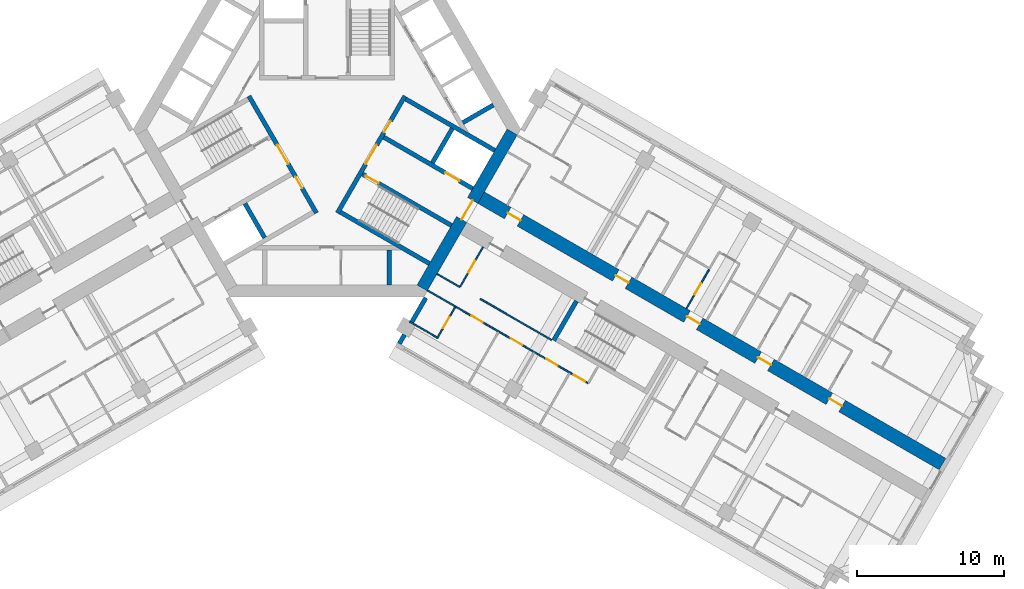
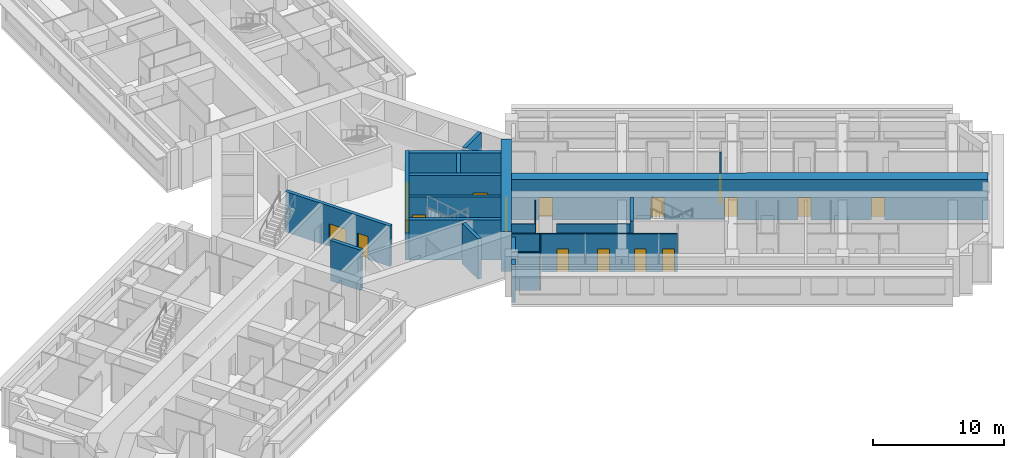
# One storey, part 6 of 14: 22 walls, 19 doors, 19 openings.
"""IFC4 building model written with IfcOpenShell, lengths in metres."""

from ifc_helpers import new_model, si_unit, direction, frame, frame_2d, origin, place, context, subcontext, project, spatial, rectangle, extrude, material, layer, layer_set, type_object, element, fill, save


model = new_model("IFC4")

# Units and contexts
model_context = context("Model", 3, precision=1e-05, world=origin(), true_north=direction((0.0, 1.0)))
body_context = subcontext(model_context, "Body", "Model", "MODEL_VIEW")
ifc_project = project(units=[si_unit("LENGTHUNIT", "METRE"), si_unit("AREAUNIT", "SQUARE_METRE"), si_unit("VOLUMEUNIT", "CUBIC_METRE"), si_unit("PLANEANGLEUNIT", "RADIAN"), si_unit("MASSUNIT", "GRAM", prefix="KILO")], contexts=[model_context])

# Site, building, storey
site_placement = place(None, origin())
site = spatial("IfcSite", under=ifc_project, at=site_placement, CompositionType="ELEMENT")
building_placement = place(site_placement, origin())
building = spatial("IfcBuilding", under=site, at=building_placement, Name="Impinga Residences", CompositionType="ELEMENT")
storey_placement = place(building_placement, frame((0.0, 0.0, 143.5)))
storey = spatial("IfcBuildingStorey", under=building, at=storey_placement, Name="L35", CompositionType="ELEMENT", Elevation=143.5)

# Wall, openings, doors
ifc_material_1 = material(Name="Concrete C60/75", Category="concrete")
ifc_layer_1 = layer(ifc_material_1, 0.89990234375)
ifc_layer_set_1 = layer_set([ifc_layer_1], Name="Concrete C60/75")
wall_type_1 = type_object("IfcWallType", Name="BW2 corridor buttress wall, L24 to L44 900", PredefinedType="SHEAR", material=ifc_layer_set_1)
wall_1_placement = place(storey_placement, frame((10.153564453125, -4.4765625, 0.0), z_axis=(0.0, 0.0, 1.0), x_axis=(0.866027614434, -0.499996171023, 0.0)))
wall_1 = element("IfcWall", 1, at=wall_1_placement, inside=storey, type_object=wall_type_1, Name="Corridor wall BW2 EC L35", PredefinedType="SHEAR", context=body_context, shape_type="SweptSolid", body=[
    extrude(rectangle(XDim=36.699951171875, YDim=0.89990234375, at=frame_2d((18.35009765625, 0.0))), origin(), (0.0, 0.0, 1.0), 3.75),
])
opening_1_placement = place(wall_1_placement, frame((2.5, 0.0, 0.0)))
opening_1 = element("IfcOpeningElement", 2, at=opening_1_placement, cuts=wall_1, Name="Opening D1", PredefinedType="OPENING", context=body_context, shape_type="SweptSolid", body=[
    extrude(rectangle(XDim=1.0, YDim=2.10009765625, at=frame_2d((0.5, 1.050048828125))), frame((0.0, 0.4599609375, 0.0), z_axis=(0.0, -1.0, 0.0), x_axis=(1.0, 0.0, 0.0)), (0.0, 0.0, 1.0), 0.919921875),
])
opening_2_placement = place(wall_1_placement, frame((11.0, 0.0, 0.0)))
opening_2 = element("IfcOpeningElement", 3, at=opening_2_placement, cuts=wall_1, Name="Opening D1", PredefinedType="OPENING", context=body_context, shape_type="SweptSolid", body=[
    extrude(rectangle(XDim=1.0, YDim=2.10009765625, at=frame_2d((0.5, 1.050048828125))), frame((0.0, 0.4599609375, 0.0), z_axis=(0.0, -1.0, 0.0), x_axis=(1.0, 0.0, 0.0)), (0.0, 0.0, 1.0), 0.919921875),
])
opening_3_placement = place(wall_1_placement, frame((16.60009765625, 0.0, 0.0)))
opening_3 = element("IfcOpeningElement", 4, at=opening_3_placement, cuts=wall_1, Name="Opening D1", PredefinedType="OPENING", context=body_context, shape_type="SweptSolid", body=[
    extrude(rectangle(XDim=1.0, YDim=2.10009765625, at=frame_2d((0.5, 1.050048828125))), frame((0.0, 0.4599609375, 0.0), z_axis=(0.0, -1.0, 0.0), x_axis=(1.0, 0.0, 0.0)), (0.0, 0.0, 1.0), 0.919921875),
])
opening_4_placement = place(wall_1_placement, frame((22.199951171875, 0.0, 0.0)))
opening_4 = element("IfcOpeningElement", 5, at=opening_4_placement, cuts=wall_1, Name="Opening D1", PredefinedType="OPENING", context=body_context, shape_type="SweptSolid", body=[
    extrude(rectangle(XDim=1.0, YDim=2.10009765625, at=frame_2d((0.5, 1.050048828125))), frame((0.0, 0.4599609375, 0.0), z_axis=(0.0, -1.0, 0.0), x_axis=(1.0, 0.0, 0.0)), (0.0, 0.0, 1.0), 0.919921875),
])
opening_5_placement = place(wall_1_placement, frame((27.800048828125, 0.0, 0.0)))
opening_5 = element("IfcOpeningElement", 6, at=opening_5_placement, cuts=wall_1, Name="Opening D1", PredefinedType="OPENING", context=body_context, shape_type="SweptSolid", body=[
    extrude(rectangle(XDim=1.0, YDim=2.10009765625, at=frame_2d((0.5, 1.050048828125))), frame((0.0, 0.4599609375, 0.0), z_axis=(0.0, -1.0, 0.0), x_axis=(1.0, 0.0, 0.0)), (0.0, 0.0, 1.0), 0.919921875),
])
ifc_material_2 = material(Name="Timber door set", Category="wood")
door_type_1 = type_object("IfcDoorType", Name="D1 apartment entrance door 1000x2100", OperationType="SINGLE_SWING_LEFT", PredefinedType="DOOR", material=ifc_material_2)
door_1_placement = place(opening_1_placement, origin())
door_1 = element("IfcDoor", 7, at=door_1_placement, inside=storey, type_object=door_type_1, Name="Apartment L35-EA1 entrance", OperationType="SINGLE_SWING_LEFT", OverallHeight=2.10009765625, OverallWidth=1.0, PredefinedType="DOOR", context=body_context, shape_type="SweptSolid", body=[
    extrude(rectangle(XDim=1.0, YDim=2.10009765625, at=frame_2d((0.5, 1.050048828125))), frame((0.0, 0.02490234375, 0.0), z_axis=(0.0, -1.0, 0.0), x_axis=(1.0, 0.0, 0.0)), (0.0, 0.0, 1.0), 0.050048828125),
])
fill(opening_1, door_1)
door_2_placement = place(opening_2_placement, origin())
door_2 = element("IfcDoor", 8, at=door_2_placement, inside=storey, type_object=door_type_1, Name="Apartment L35-EA2 entrance", OperationType="SINGLE_SWING_LEFT", OverallHeight=2.10009765625, OverallWidth=1.0, PredefinedType="DOOR", context=body_context, shape_type="SweptSolid", body=[
    extrude(rectangle(XDim=1.0, YDim=2.10009765625, at=frame_2d((0.5, 1.050048828125))), frame((0.0, 0.02490234375, 0.0), z_axis=(0.0, -1.0, 0.0), x_axis=(1.0, 0.0, 0.0)), (0.0, 0.0, 1.0), 0.050048828125),
])
fill(opening_2, door_2)
door_3_placement = place(opening_3_placement, origin())
door_3 = element("IfcDoor", 9, at=door_3_placement, inside=storey, type_object=door_type_1, Name="Apartment L35-EA3 entrance", OperationType="SINGLE_SWING_LEFT", OverallHeight=2.10009765625, OverallWidth=1.0, PredefinedType="DOOR", context=body_context, shape_type="SweptSolid", body=[
    extrude(rectangle(XDim=1.0, YDim=2.10009765625, at=frame_2d((0.5, 1.050048828125))), frame((0.0, 0.02490234375, 0.0), z_axis=(0.0, -1.0, 0.0), x_axis=(1.0, 0.0, 0.0)), (0.0, 0.0, 1.0), 0.050048828125),
])
fill(opening_3, door_3)
door_4_placement = place(opening_4_placement, origin())
door_4 = element("IfcDoor", 10, at=door_4_placement, inside=storey, type_object=door_type_1, Name="Apartment L35-EA4 entrance", OperationType="SINGLE_SWING_RIGHT", OverallHeight=2.10009765625, OverallWidth=1.0, PredefinedType="DOOR", context=body_context, shape_type="SweptSolid", body=[
    extrude(rectangle(XDim=1.0, YDim=2.10009765625, at=frame_2d((0.5, 1.050048828125))), frame((0.0, 0.02490234375, 0.0), z_axis=(0.0, -1.0, 0.0), x_axis=(1.0, 0.0, 0.0)), (0.0, 0.0, 1.0), 0.050048828125),
])
fill(opening_4, door_4)
door_5_placement = place(opening_5_placement, origin())
door_5 = element("IfcDoor", 11, at=door_5_placement, inside=storey, type_object=door_type_1, Name="Apartment L35-EA5 entrance", OperationType="SINGLE_SWING_RIGHT", OverallHeight=2.10009765625, OverallWidth=1.0, PredefinedType="DOOR", context=body_context, shape_type="SweptSolid", body=[
    extrude(rectangle(XDim=1.0, YDim=2.10009765625, at=frame_2d((0.5, 1.050048828125))), frame((0.0, 0.02490234375, 0.0), z_axis=(0.0, -1.0, 0.0), x_axis=(1.0, 0.0, 0.0)), (0.0, 0.0, 1.0), 0.050048828125),
])
fill(opening_5, door_5)

# Walls
ifc_material_3 = material(Name="Terracotta rainscreen on blockwork", Category="masonry")
ifc_layer_2 = layer(ifc_material_3, 0.300048828125)
ifc_layer_set_2 = layer_set([ifc_layer_2], Name="EW1 external wall, terracotta rainscreen on blockwork 300")
wall_type_2 = type_object("IfcWallType", Name="EW1 external wall, terracotta rainscreen on blockwork 300", PredefinedType="SOLIDWALL", material=ifc_layer_set_2)
wall_2_placement = place(storey_placement, frame((4.929931640625, -14.624267578125, 0.0), z_axis=(0.0, 0.0, 1.0), x_axis=(0.499853302173, 0.866110083249, 0.0)))
element("IfcWall", 12, at=wall_2_placement, inside=storey, type_object=wall_type_2, Name="External wall EW1 L35", PredefinedType="SOLIDWALL", context=body_context, shape_type="SweptSolid", body=[
    extrude(rectangle(XDim=0.699951171875, YDim=0.300048828125, at=frame_2d((0.35009765625, 0.0))), origin(), (0.0, 0.0, 1.0), 3.530029296875),
])
wall_3_placement = place(storey_placement, frame((5.77978515625, -13.152099609375, 0.0), z_axis=(0.0, 0.0, 1.0), x_axis=(0.500063520245, 0.865988727248, 0.0)))
element("IfcWall", 13, at=wall_3_placement, inside=storey, type_object=wall_type_2, Name="External wall EW1 L35", PredefinedType="SOLIDWALL", context=body_context, shape_type="SweptSolid", body=[
    extrude(rectangle(XDim=1.900146484375, YDim=0.300048828125, at=frame_2d((0.9501953125, 0.0))), origin(), (0.0, 0.0, 1.0), 3.530029296875),
])

# Wall, opening, door
ifc_material_4 = material(Name="Gypsum board on steel studs", Category="steel")
ifc_layer_3 = layer(ifc_material_4, 0.10009765625)
ifc_layer_set_3 = layer_set([ifc_layer_3], Name="Gypsum board on steel studs")
wall_type_3 = type_object("IfcWallType", Name="IP1 partition 100", PredefinedType="PARTITIONING", material=ifc_layer_set_3)
wall_4_placement = place(storey_placement, frame((24.494873046875, -12.23681640625, 0.0), z_axis=(0.0, 0.0, 1.0), x_axis=(0.500026960575, 0.86600983753, 0.0)))
wall_4 = element("IfcWall", 14, at=wall_4_placement, inside=storey, type_object=wall_type_3, Name="Partition L35-EA3:IB1", PredefinedType="PARTITIONING", context=body_context, shape_type="SweptSolid", body=[
    extrude(rectangle(XDim=3.099853515625, YDim=0.10009765625, at=frame_2d((1.5498046875, 0.0))), origin(), (0.0, 0.0, 1.0), 3.530029296875),
])
opening_6_placement = place(wall_4_placement, frame((1.10009765625, 0.0, 0.0)))
opening_6 = element("IfcOpeningElement", 15, at=opening_6_placement, cuts=wall_4, Name="Opening D2", PredefinedType="OPENING", context=body_context, shape_type="SweptSolid", body=[
    extrude(rectangle(XDim=0.89990234375, YDim=2.10009765625, at=frame_2d((0.449951171875, 1.050048828125))), frame((0.0, 0.06005859375, 0.0), z_axis=(0.0, -1.0, 0.0), x_axis=(1.0, 0.0, 0.0)), (0.0, 0.0, 1.0), 0.1201171875),
])
door_type_2 = type_object("IfcDoorType", Name="D2 internal door 900x2100", OperationType="SINGLE_SWING_LEFT", PredefinedType="DOOR", material=ifc_material_2)
door_6_placement = place(opening_6_placement, origin())
door_6 = element("IfcDoor", 16, at=door_6_placement, inside=storey, type_object=door_type_2, Name="Apartment L35-EA3 bathroom door", OperationType="SINGLE_SWING_LEFT", OverallHeight=2.10009765625, OverallWidth=0.89990234375, PredefinedType="DOOR", context=body_context, shape_type="SweptSolid", body=[
    extrude(rectangle(XDim=0.89990234375, YDim=2.10009765625, at=frame_2d((0.449951171875, 1.050048828125))), frame((0.0, 0.02490234375, 0.0), z_axis=(0.0, -1.0, 0.0), x_axis=(1.0, 0.0, 0.0)), (0.0, 0.0, 1.0), 0.050048828125),
])
fill(opening_6, door_6)

# Walls
wall_5_placement = place(storey_placement, frame((7.5, -9.872802734375, 0.0), z_axis=(0.0, 0.0, 1.0), x_axis=(0.866047807691, -0.499961193289, 0.0)))
element("IfcWall", 17, at=wall_5_placement, inside=storey, type_object=wall_type_3, Name="Partition L35-EF1:DIV0", PredefinedType="PARTITIONING", context=body_context, shape_type="SweptSolid", body=[
    extrude(rectangle(XDim=1.800048828125, YDim=0.10009765625, at=frame_2d((0.89990234375, 0.0))), origin(), (0.0, 0.0, 1.0), 3.530029296875),
])
wall_6_placement = place(storey_placement, frame((10.444580078125, -11.57275390625, 0.0), z_axis=(0.0, 0.0, 1.0), x_axis=(0.866015695474, -0.500016814911, 0.0)))
element("IfcWall", 18, at=wall_6_placement, inside=storey, type_object=wall_type_3, Name="Partition L35-EF1:DIV1", PredefinedType="PARTITIONING", context=body_context, shape_type="SweptSolid", body=[
    extrude(rectangle(XDim=5.599853515625, YDim=0.10009765625, at=frame_2d((2.7998046875, 0.0))), origin(), (0.0, 0.0, 1.0), 3.530029296875),
])

# Wall, openings, doors
wall_7_placement = place(storey_placement, frame((6.85009765625, -10.99853515625, 0.0), z_axis=(0.0, 0.0, 1.0), x_axis=(0.866024244478, -0.500002007972, 0.0)))
wall_7 = element("IfcWall", 19, at=wall_7_placement, inside=storey, type_object=wall_type_3, Name="Partition L35-EF1:STRIP", PredefinedType="PARTITIONING", context=body_context, shape_type="SweptSolid", body=[
    extrude(rectangle(XDim=12.64990234375, YDim=0.10009765625, at=frame_2d((6.324951171875, 0.0))), origin(), (0.0, 0.0, 1.0), 3.530029296875),
])
opening_7_placement = place(wall_7_placement, frame((3.449951171875, 0.0, 0.0)))
opening_7 = element("IfcOpeningElement", 20, at=opening_7_placement, cuts=wall_7, Name="Opening D2", PredefinedType="OPENING", context=body_context, shape_type="SweptSolid", body=[
    extrude(rectangle(XDim=0.89990234375, YDim=2.10009765625, at=frame_2d((0.449951171875, 1.050048828125))), frame((0.0, 0.06005859375, 0.0), z_axis=(0.0, -1.0, 0.0), x_axis=(1.0, 0.0, 0.0)), (0.0, 0.0, 1.0), 0.1201171875),
])
opening_8_placement = place(wall_7_placement, frame((6.550048828125, 0.0, 0.0)))
opening_8 = element("IfcOpeningElement", 21, at=opening_8_placement, cuts=wall_7, Name="Opening D2", PredefinedType="OPENING", context=body_context, shape_type="SweptSolid", body=[
    extrude(rectangle(XDim=0.89990234375, YDim=2.10009765625, at=frame_2d((0.449951171875, 1.050048828125))), frame((0.0, 0.06005859375, 0.0), z_axis=(0.0, -1.0, 0.0), x_axis=(1.0, 0.0, 0.0)), (0.0, 0.0, 1.0), 0.1201171875),
])
opening_9_placement = place(wall_7_placement, frame((9.35009765625, 0.0, 0.0)))
opening_9 = element("IfcOpeningElement", 22, at=opening_9_placement, cuts=wall_7, Name="Opening D2", PredefinedType="OPENING", context=body_context, shape_type="SweptSolid", body=[
    extrude(rectangle(XDim=0.89990234375, YDim=2.10009765625, at=frame_2d((0.449951171875, 1.050048828125))), frame((0.0, 0.06005859375, 0.0), z_axis=(0.0, -1.0, 0.0), x_axis=(1.0, 0.0, 0.0)), (0.0, 0.0, 1.0), 0.1201171875),
])
opening_10_placement = place(wall_7_placement, frame((11.5, 0.0, 0.0)))
opening_10 = element("IfcOpeningElement", 23, at=opening_10_placement, cuts=wall_7, Name="Opening D2", PredefinedType="OPENING", context=body_context, shape_type="SweptSolid", body=[
    extrude(rectangle(XDim=0.89990234375, YDim=2.10009765625, at=frame_2d((0.449951171875, 1.050048828125))), frame((0.0, 0.06005859375, 0.0), z_axis=(0.0, -1.0, 0.0), x_axis=(1.0, 0.0, 0.0)), (0.0, 0.0, 1.0), 0.1201171875),
])
door_7_placement = place(opening_7_placement, origin())
door_7 = element("IfcDoor", 24, at=door_7_placement, inside=storey, type_object=door_type_2, Name="Apartment L35-EF1 room door", OperationType="SINGLE_SWING_LEFT", OverallHeight=2.10009765625, OverallWidth=0.89990234375, PredefinedType="DOOR", context=body_context, shape_type="SweptSolid", body=[
    extrude(rectangle(XDim=0.89990234375, YDim=2.10009765625, at=frame_2d((0.449951171875, 1.050048828125))), frame((0.0, 0.02490234375, 0.0), z_axis=(0.0, -1.0, 0.0), x_axis=(1.0, 0.0, 0.0)), (0.0, 0.0, 1.0), 0.050048828125),
])
fill(opening_7, door_7)
door_8_placement = place(opening_8_placement, origin())
door_8 = element("IfcDoor", 25, at=door_8_placement, inside=storey, type_object=door_type_2, Name="Apartment L35-EF1 room door", OperationType="SINGLE_SWING_RIGHT", OverallHeight=2.10009765625, OverallWidth=0.89990234375, PredefinedType="DOOR", context=body_context, shape_type="SweptSolid", body=[
    extrude(rectangle(XDim=0.89990234375, YDim=2.10009765625, at=frame_2d((0.449951171875, 1.050048828125))), frame((0.0, 0.02490234375, 0.0), z_axis=(0.0, -1.0, 0.0), x_axis=(1.0, 0.0, 0.0)), (0.0, 0.0, 1.0), 0.050048828125),
])
fill(opening_8, door_8)
door_9_placement = place(opening_9_placement, origin())
door_9 = element("IfcDoor", 26, at=door_9_placement, inside=storey, type_object=door_type_2, Name="Apartment L35-EF1 room door", OperationType="SINGLE_SWING_RIGHT", OverallHeight=2.10009765625, OverallWidth=0.89990234375, PredefinedType="DOOR", context=body_context, shape_type="SweptSolid", body=[
    extrude(rectangle(XDim=0.89990234375, YDim=2.10009765625, at=frame_2d((0.449951171875, 1.050048828125))), frame((0.0, 0.02490234375, 0.0), z_axis=(0.0, -1.0, 0.0), x_axis=(1.0, 0.0, 0.0)), (0.0, 0.0, 1.0), 0.050048828125),
])
fill(opening_9, door_9)
door_10_placement = place(opening_10_placement, origin())
door_10 = element("IfcDoor", 27, at=door_10_placement, inside=storey, type_object=door_type_2, Name="Apartment L35-EF1 room door", OperationType="SINGLE_SWING_RIGHT", OverallHeight=2.10009765625, OverallWidth=0.89990234375, PredefinedType="DOOR", context=body_context, shape_type="SweptSolid", body=[
    extrude(rectangle(XDim=0.89990234375, YDim=2.10009765625, at=frame_2d((0.449951171875, 1.050048828125))), frame((0.0, 0.02490234375, 0.0), z_axis=(0.0, -1.0, 0.0), x_axis=(1.0, 0.0, 0.0)), (0.0, 0.0, 1.0), 0.050048828125),
])
fill(opening_10, door_10)

# Wall, opening, door
wall_8_placement = place(storey_placement, frame((10.6337890625, -8.044677734375, 0.0), z_axis=(0.0, 0.0, 1.0), x_axis=(-0.49999285859, -0.86602952684, 0.0)))
wall_8 = element("IfcWall", 28, at=wall_8_placement, inside=storey, type_object=wall_type_3, Name="Partition L35-EF1:IB1", PredefinedType="PARTITIONING", context=body_context, shape_type="SweptSolid", body=[
    extrude(rectangle(XDim=3.10009765625, YDim=0.10009765625, at=frame_2d((1.550048828125, 0.0))), origin(), (0.0, 0.0, 1.0), 3.530029296875),
])
opening_11_placement = place(wall_8_placement, frame((1.10009765625, 0.0, 0.0)))
opening_11 = element("IfcOpeningElement", 29, at=opening_11_placement, cuts=wall_8, Name="Opening D2", PredefinedType="OPENING", context=body_context, shape_type="SweptSolid", body=[
    extrude(rectangle(XDim=0.89990234375, YDim=2.10009765625, at=frame_2d((0.449951171875, 1.050048828125))), frame((0.0, 0.06005859375, 0.0), z_axis=(0.0, -1.0, 0.0), x_axis=(1.0, 0.0, 0.0)), (0.0, 0.0, 1.0), 0.1201171875),
])
door_11_placement = place(opening_11_placement, origin())
door_11 = element("IfcDoor", 30, at=door_11_placement, inside=storey, type_object=door_type_2, Name="Apartment L35-EF1 bathroom door", OperationType="SINGLE_SWING_LEFT", OverallHeight=2.10009765625, OverallWidth=0.89990234375, PredefinedType="DOOR", context=body_context, shape_type="SweptSolid", body=[
    extrude(rectangle(XDim=0.89990234375, YDim=2.10009765625, at=frame_2d((0.449951171875, 1.050048828125))), frame((0.0, 0.02490234375, 0.0), z_axis=(0.0, -1.0, 0.0), x_axis=(1.0, 0.0, 0.0)), (0.0, 0.0, 1.0), 0.050048828125),
])
fill(opening_11, door_11)

wall_9_placement = place(storey_placement, frame((8.730224609375, -12.141845703125, 0.0), z_axis=(0.0, 0.0, 1.0), x_axis=(-0.499943856944, -0.866057815567, 0.0)))
wall_9 = element("IfcWall", 31, at=wall_9_placement, inside=storey, type_object=wall_type_3, Name="Partition L35-EF1:EN1", PredefinedType="PARTITIONING", context=body_context, shape_type="SweptSolid", body=[
    extrude(rectangle(XDim=2.449951171875, YDim=0.10009765625, at=frame_2d((1.22509765625, 0.0))), origin(), (0.0, 0.0, 1.0), 3.530029296875),
])
opening_12_placement = place(wall_9_placement, frame((0.75, 0.0, 0.0)))
opening_12 = element("IfcOpeningElement", 32, at=opening_12_placement, cuts=wall_9, Name="Opening D2", PredefinedType="OPENING", context=body_context, shape_type="SweptSolid", body=[
    extrude(rectangle(XDim=0.89990234375, YDim=2.10009765625, at=frame_2d((0.449951171875, 1.050048828125))), frame((0.0, 0.06005859375, 0.0), z_axis=(0.0, -1.0, 0.0), x_axis=(1.0, 0.0, 0.0)), (0.0, 0.0, 1.0), 0.1201171875),
])
door_12_placement = place(opening_12_placement, origin())
door_12 = element("IfcDoor", 33, at=door_12_placement, inside=storey, type_object=door_type_2, Name="Apartment L35-EF1 en-suite door", OperationType="SINGLE_SWING_LEFT", OverallHeight=2.10009765625, OverallWidth=0.89990234375, PredefinedType="DOOR", context=body_context, shape_type="SweptSolid", body=[
    extrude(rectangle(XDim=0.89990234375, YDim=2.10009765625, at=frame_2d((0.449951171875, 1.050048828125))), frame((0.0, 0.02490234375, 0.0), z_axis=(0.0, -1.0, 0.0), x_axis=(1.0, 0.0, 0.0)), (0.0, 0.0, 1.0), 0.050048828125),
])
fill(opening_12, door_12)

# Walls
wall_10_placement = place(storey_placement, frame((5.625, -13.120361328125, 0.0), z_axis=(0.0, 0.0, 1.0), x_axis=(0.866047553582, -0.499961633463, 0.0)))
element("IfcWall", 34, at=wall_10_placement, inside=storey, type_object=wall_type_3, Name="Partition L35-EF1:EN2", PredefinedType="PARTITIONING", context=body_context, shape_type="SweptSolid", body=[
    extrude(rectangle(XDim=2.150146484375, YDim=0.10009765625, at=frame_2d((1.0751953125, 0.0))), origin(), (0.0, 0.0, 1.0), 3.530029296875),
])
ifc_layer_4 = layer(ifc_material_1, 0.300048828125)
ifc_layer_set_4 = layer_set([ifc_layer_4], Name="Concrete C60/75")
wall_type_4 = type_object("IfcWallType", Name="SE1 wing stair enclosure wall 300", PredefinedType="SOLIDWALL", material=ifc_layer_set_4)
wall_11_placement = place(storey_placement, frame((16.9990234375, -11.7197265625, 0.0), z_axis=(0.0, 0.0, 1.0), x_axis=(-0.499967891604, -0.866043940782, 0.0)))
element("IfcWall", 35, at=wall_11_placement, inside=storey, type_object=wall_type_4, Name="Stair enclosure wall SE1 E END0 L35", PredefinedType="SOLIDWALL", context=body_context, shape_type="SweptSolid", body=[
    extrude(rectangle(XDim=3.099853515625, YDim=0.300048828125, at=frame_2d((1.5498046875, 0.0))), origin(), (0.0, 0.0, 1.0), 3.75),
])

# Wall, opening, door
ifc_layer_5 = layer(ifc_material_1, 0.800048828125)
ifc_layer_set_5 = layer_set([ifc_layer_5], Name="Concrete C60/75")
wall_type_5 = type_object("IfcWallType", Name="SW2 core wall 800", PredefinedType="SHEAR", material=ifc_layer_set_5)
wall_12_placement = place(storey_placement, frame((12.62255859375, -0.199951171875, 0.0), z_axis=(0.0, 0.0, 1.0), x_axis=(-0.499986991068, -0.866032914365, 0.0)))
wall_12 = element("IfcWall", 36, at=wall_12_placement, inside=storey, type_object=wall_type_5, Name="Core wall SW2 E:FACE L35", PredefinedType="SHEAR", context=body_context, shape_type="SweptSolid", body=[
    extrude(rectangle(XDim=12.276123046875, YDim=0.800048828125, at=frame_2d((6.13818359375, 0.0))), origin(), (0.0, 0.0, 1.0), 3.75),
])
opening_13_placement = place(wall_12_placement, frame((5.38818359375, 0.0, 0.0)))
opening_13 = element("IfcOpeningElement", 37, at=opening_13_placement, cuts=wall_12, Name="Opening D4", PredefinedType="OPENING", context=body_context, shape_type="SweptSolid", body=[
    extrude(rectangle(XDim=1.5, YDim=2.10009765625, at=frame_2d((0.75, 1.050048828125))), frame((0.0, 0.409912109375, 0.0), z_axis=(0.0, -1.0, 0.0), x_axis=(1.0, 0.0, 0.0)), (0.0, 0.0, 1.0), 0.820068359375),
])
door_type_3 = type_object("IfcDoorType", Name="D4 lobby door pair 1500x2100", OperationType="DOUBLE_DOOR_DOUBLE_SWING", PredefinedType="DOOR", material=ifc_material_2)
door_13_placement = place(opening_13_placement, origin())
door_13 = element("IfcDoor", 38, at=door_13_placement, inside=storey, type_object=door_type_3, Name="Lobby door E", OperationType="DOUBLE_DOOR_DOUBLE_SWING", OverallHeight=2.10009765625, OverallWidth=1.5, PredefinedType="DOOR", context=body_context, shape_type="SweptSolid", body=[
    extrude(rectangle(XDim=1.5, YDim=2.10009765625, at=frame_2d((0.75, 1.050048828125))), frame((0.0, 0.02490234375, 0.0), z_axis=(0.0, -1.0, 0.0), x_axis=(1.0, 0.0, 0.0)), (0.0, 0.0, 1.0), 0.050048828125),
])
fill(opening_13, door_13)

# Wall, openings, doors
ifc_material_5 = material(Name="Concrete C70/85", Category="concrete")
ifc_layer_6 = layer(ifc_material_5, 0.300048828125)
ifc_layer_set_6 = layer_set([ifc_layer_6], Name="Concrete C70/85")
wall_type_6 = type_object("IfcWallType", Name="SW5 core inner wall, stairs, shafts and lobbies 300", PredefinedType="SHEAR", material=ifc_layer_set_6)
wall_13_placement = place(storey_placement, frame((-0.7138671875, -5.7236328125, 0.0), z_axis=(0.0, 0.0, 1.0), x_axis=(-0.499995050369, 0.866028261437, 0.0)))
wall_13 = element("IfcWall", 39, at=wall_13_placement, inside=storey, type_object=wall_type_6, Name="Core wall SW5 W:ZONE L35", PredefinedType="SHEAR", context=body_context, shape_type="SweptSolid", body=[
    extrude(rectangle(XDim=9.19970703125, YDim=0.300048828125, at=frame_2d((4.599853515625, 0.0))), origin(), (0.0, 0.0, 1.0), 3.75),
])
opening_14_placement = place(wall_13_placement, frame((3.85009765625, 0.0, 0.0)))
opening_14 = element("IfcOpeningElement", 40, at=opening_14_placement, cuts=wall_13, Name="Opening D4", PredefinedType="OPENING", context=body_context, shape_type="SweptSolid", body=[
    extrude(rectangle(XDim=1.5, YDim=2.10009765625, at=frame_2d((0.75, 1.050048828125))), frame((0.0, 0.159912109375, 0.0), z_axis=(0.0, -1.0, 0.0), x_axis=(1.0, 0.0, 0.0)), (0.0, 0.0, 1.0), 0.320068359375),
])
opening_15_placement = place(wall_13_placement, frame((1.949951171875, 0.0, 0.0)))
opening_15 = element("IfcOpeningElement", 41, at=opening_15_placement, cuts=wall_13, Name="Opening D6", PredefinedType="OPENING", context=body_context, shape_type="SweptSolid", body=[
    extrude(rectangle(XDim=0.89990234375, YDim=2.10009765625, at=frame_2d((0.449951171875, 1.050048828125))), frame((0.0, 0.159912109375, 0.0), z_axis=(0.0, -1.0, 0.0), x_axis=(1.0, 0.0, 0.0)), (0.0, 0.0, 1.0), 0.320068359375),
])
door_14_placement = place(opening_14_placement, origin())
door_14 = element("IfcDoor", 42, at=door_14_placement, inside=storey, type_object=door_type_3, Name="Firefighting lobby door W", OperationType="DOUBLE_DOOR_DOUBLE_SWING", OverallHeight=2.10009765625, OverallWidth=1.5, PredefinedType="DOOR", context=body_context, shape_type="SweptSolid", body=[
    extrude(rectangle(XDim=1.5, YDim=2.10009765625, at=frame_2d((0.75, 1.050048828125))), frame((0.0, 0.02490234375, 0.0), z_axis=(0.0, -1.0, 0.0), x_axis=(1.0, 0.0, 0.0)), (0.0, 0.0, 1.0), 0.050048828125),
])
fill(opening_14, door_14)
door_type_4 = type_object("IfcDoorType", Name="D6 riser and store door 900x2100", OperationType="SINGLE_SWING_LEFT", PredefinedType="DOOR", material=ifc_material_2)
door_15_placement = place(opening_15_placement, origin())
door_15 = element("IfcDoor", 43, at=door_15_placement, inside=storey, type_object=door_type_4, Name="Riser door W", OperationType="SINGLE_SWING_LEFT", OverallHeight=2.10009765625, OverallWidth=0.89990234375, PredefinedType="DOOR", context=body_context, shape_type="SweptSolid", body=[
    extrude(rectangle(XDim=0.89990234375, YDim=2.10009765625, at=frame_2d((0.449951171875, 1.050048828125))), frame((0.0, 0.02490234375, 0.0), z_axis=(0.0, -1.0, 0.0), x_axis=(1.0, 0.0, 0.0)), (0.0, 0.0, 1.0), 0.050048828125),
])
fill(opening_15, door_15)

# Wall
wall_14_placement = place(storey_placement, frame((-4.2412109375, -7.413818359375, 0.0), z_axis=(0.0, 0.0, 1.0), x_axis=(-0.500048589285, 0.86599734893, 0.0)))
element("IfcWall", 44, at=wall_14_placement, inside=storey, type_object=wall_type_6, Name="Core wall SW5 W:FF-RS L35", PredefinedType="SHEAR", context=body_context, shape_type="SweptSolid", body=[
    extrude(rectangle(XDim=2.699951171875, YDim=0.300048828125, at=frame_2d((1.35009765625, 0.0))), origin(), (0.0, 0.0, 1.0), 3.75),
])

# Wall, openings, doors
wall_15_placement = place(storey_placement, frame((5.313720703125, 2.24365234375, 0.0), z_axis=(0.0, 0.0, 1.0), x_axis=(-0.499995050369, -0.866028261437, 0.0)))
wall_15 = element("IfcWall", 45, at=wall_15_placement, inside=storey, type_object=wall_type_6, Name="Core wall SW5 E:ZONE L35", PredefinedType="SHEAR", context=body_context, shape_type="SweptSolid", body=[
    extrude(rectangle(XDim=9.19970703125, YDim=0.300048828125, at=frame_2d((4.599853515625, 0.0))), origin(), (0.0, 0.0, 1.0), 3.75),
])
opening_16_placement = place(wall_15_placement, frame((3.85009765625, 0.0, 0.0)))
opening_16 = element("IfcOpeningElement", 46, at=opening_16_placement, cuts=wall_15, Name="Opening D4", PredefinedType="OPENING", context=body_context, shape_type="SweptSolid", body=[
    extrude(rectangle(XDim=1.5, YDim=2.10009765625, at=frame_2d((0.75, 1.050048828125))), frame((0.0, 0.159912109375, 0.0), z_axis=(0.0, -1.0, 0.0), x_axis=(1.0, 0.0, 0.0)), (0.0, 0.0, 1.0), 0.320068359375),
])
opening_17_placement = place(wall_15_placement, frame((1.949951171875, 0.0, 0.0)))
opening_17 = element("IfcOpeningElement", 47, at=opening_17_placement, cuts=wall_15, Name="Opening D6", PredefinedType="OPENING", context=body_context, shape_type="SweptSolid", body=[
    extrude(rectangle(XDim=0.89990234375, YDim=2.10009765625, at=frame_2d((0.449951171875, 1.050048828125))), frame((0.0, 0.159912109375, 0.0), z_axis=(0.0, -1.0, 0.0), x_axis=(1.0, 0.0, 0.0)), (0.0, 0.0, 1.0), 0.320068359375),
])
door_16_placement = place(opening_16_placement, origin())
door_16 = element("IfcDoor", 48, at=door_16_placement, inside=storey, type_object=door_type_3, Name="Firefighting lobby door E", OperationType="DOUBLE_DOOR_DOUBLE_SWING", OverallHeight=2.10009765625, OverallWidth=1.5, PredefinedType="DOOR", context=body_context, shape_type="SweptSolid", body=[
    extrude(rectangle(XDim=1.5, YDim=2.10009765625, at=frame_2d((0.75, 1.050048828125))), frame((0.0, 0.02490234375, 0.0), z_axis=(0.0, -1.0, 0.0), x_axis=(1.0, 0.0, 0.0)), (0.0, 0.0, 1.0), 0.050048828125),
])
fill(opening_16, door_16)
door_17_placement = place(opening_17_placement, origin())
door_17 = element("IfcDoor", 49, at=door_17_placement, inside=storey, type_object=door_type_4, Name="Riser door E", OperationType="SINGLE_SWING_LEFT", OverallHeight=2.10009765625, OverallWidth=0.89990234375, PredefinedType="DOOR", context=body_context, shape_type="SweptSolid", body=[
    extrude(rectangle(XDim=0.89990234375, YDim=2.10009765625, at=frame_2d((0.449951171875, 1.050048828125))), frame((0.0, 0.02490234375, 0.0), z_axis=(0.0, -1.0, 0.0), x_axis=(1.0, 0.0, 0.0)), (0.0, 0.0, 1.0), 0.050048828125),
])
fill(opening_17, door_17)

# Wall, opening, door
wall_16_placement = place(storey_placement, frame((2.418701171875, -3.07080078125, 0.0), z_axis=(0.0, 0.0, 1.0), x_axis=(0.866026480128, -0.499998135713, 0.0)))
wall_16 = element("IfcWall", 50, at=wall_16_placement, inside=storey, type_object=wall_type_6, Name="Core wall SW5 E:ST-IN L35", PredefinedType="SHEAR", context=body_context, shape_type="SweptSolid", body=[
    extrude(rectangle(XDim=7.00146484375, YDim=0.300048828125, at=frame_2d((3.500732421875, 0.0))), origin(), (0.0, 0.0, 1.0), 3.75),
])
opening_18_placement = place(wall_16_placement, frame((0.25, 0.0, 0.0)))
opening_18 = element("IfcOpeningElement", 51, at=opening_18_placement, cuts=wall_16, Name="Opening D5", PredefinedType="OPENING", context=body_context, shape_type="SweptSolid", body=[
    extrude(rectangle(XDim=1.0, YDim=2.10009765625, at=frame_2d((0.5, 1.050048828125))), frame((0.0, 0.159912109375, 0.0), z_axis=(0.0, -1.0, 0.0), x_axis=(1.0, 0.0, 0.0)), (0.0, 0.0, 1.0), 0.320068359375),
])
door_type_5 = type_object("IfcDoorType", Name="D5 stair door 1000x2100", OperationType="SINGLE_SWING_LEFT", PredefinedType="DOOR", material=ifc_material_2)
door_18_placement = place(opening_18_placement, origin())
door_18 = element("IfcDoor", 52, at=door_18_placement, inside=storey, type_object=door_type_5, Name="Stair door E", OperationType="SINGLE_SWING_LEFT", OverallHeight=2.10009765625, OverallWidth=1.0, PredefinedType="DOOR", context=body_context, shape_type="SweptSolid", body=[
    extrude(rectangle(XDim=1.0, YDim=2.10009765625, at=frame_2d((0.5, 1.050048828125))), frame((0.0, 0.02490234375, 0.0), z_axis=(0.0, -1.0, 0.0), x_axis=(1.0, 0.0, 0.0)), (0.0, 0.0, 1.0), 0.050048828125),
])
fill(opening_18, door_18)

# Wall
wall_17_placement = place(storey_placement, frame((0.918701171875, -5.668701171875, 0.0), z_axis=(0.0, 0.0, 1.0), x_axis=(0.866011380966, -0.500024287448, 0.0)))
element("IfcWall", 53, at=wall_17_placement, inside=storey, type_object=wall_type_6, Name="Core wall SW5 E:ST-OUT L35", PredefinedType="SHEAR", context=body_context, shape_type="SweptSolid", body=[
    extrude(rectangle(XDim=7.001708984375, YDim=0.300048828125, at=frame_2d((3.5009765625, 0.0))), origin(), (0.0, 0.0, 1.0), 3.75),
])

# Wall, opening, door
wall_18_placement = place(storey_placement, frame((3.86865234375, -0.559326171875, 0.0), z_axis=(0.0, 0.0, 1.0), x_axis=(0.866026480128, -0.499998135713, 0.0)))
wall_18 = element("IfcWall", 54, at=wall_18_placement, inside=storey, type_object=wall_type_6, Name="Core wall SW5 E:FF-IN L35", PredefinedType="SHEAR", context=body_context, shape_type="SweptSolid", body=[
    extrude(rectangle(XDim=7.00146484375, YDim=0.300048828125, at=frame_2d((3.500732421875, 0.0))), origin(), (0.0, 0.0, 1.0), 3.75),
])
opening_19_placement = place(wall_18_placement, frame((4.85009765625, 0.0, 0.0)))
opening_19 = element("IfcOpeningElement", 55, at=opening_19_placement, cuts=wall_18, Name="Opening LD2", PredefinedType="OPENING", context=body_context, shape_type="SweptSolid", body=[
    extrude(rectangle(XDim=1.10009765625, YDim=2.10009765625, at=frame_2d((0.550048828125, 1.050048828125))), frame((0.0, 0.159912109375, 0.0), z_axis=(0.0, -1.0, 0.0), x_axis=(1.0, 0.0, 0.0)), (0.0, 0.0, 1.0), 0.320068359375),
])
ifc_material_6 = material(Name="Steel lift landing door", Category="steel")
door_type_6 = type_object("IfcDoorType", Name="LD2 firefighting lift landing door 1100x2100", OperationType="DOUBLE_DOOR_SLIDING", PredefinedType="DOOR", material=ifc_material_6)
door_19_placement = place(opening_19_placement, origin())
door_19 = element("IfcDoor", 56, at=door_19_placement, inside=storey, type_object=door_type_6, Name="Firefighting lift landing door F3", OperationType="DOUBLE_DOOR_SLIDING", OverallHeight=2.10009765625, OverallWidth=1.10009765625, PredefinedType="DOOR", context=body_context, shape_type="SweptSolid", body=[
    extrude(rectangle(XDim=1.10009765625, YDim=2.10009765625, at=frame_2d((0.550048828125, 1.050048828125))), frame((0.0, 0.02490234375, 0.0), z_axis=(0.0, -1.0, 0.0), x_axis=(1.0, 0.0, 0.0)), (0.0, 0.0, 1.0), 0.050048828125),
])
fill(opening_19, door_19)

# Walls
wall_19_placement = place(storey_placement, frame((5.36865234375, 2.038818359375, 0.0), z_axis=(0.0, 0.0, 1.0), x_axis=(0.866026480128, -0.499998135713, 0.0)))
element("IfcWall", 57, at=wall_19_placement, inside=storey, type_object=wall_type_6, Name="Core wall SW5 E:FF-OUT L35", PredefinedType="SHEAR", context=body_context, shape_type="SweptSolid", body=[
    extrude(rectangle(XDim=7.00146484375, YDim=0.300048828125, at=frame_2d((3.500732421875, 0.0))), origin(), (0.0, 0.0, 1.0), 3.75),
])
wall_20_placement = place(storey_placement, frame((8.541259765625, 0.033935546875, 0.0), z_axis=(0.0, 0.0, 1.0), x_axis=(-0.50000943426, -0.866019956843, 0.0)))
element("IfcWall", 58, at=wall_20_placement, inside=storey, type_object=wall_type_6, Name="Core wall SW5 E:FF-RS L35", PredefinedType="SHEAR", context=body_context, shape_type="SweptSolid", body=[
    extrude(rectangle(XDim=2.7001953125, YDim=0.300048828125, at=frame_2d((1.35009765625, 0.0))), origin(), (0.0, 0.0, 1.0), 3.75),
])
for number, where, z_axis, x_axis, name in (
    (59, (4.25, -8.2314453125, 0.0), (0.0, 0.0, 1.0), (0.0, -1.0, 0.0), "Core wall SW5 N:BANK-L L35"),
    (60, (9.253662109375, 0.43505859375, 0.0), (0.0, 0.0, 1.0), (0.866006032174, 0.500033551112, 0.0), "Core wall SW5 W:BANK-R L35"),
):
    element("IfcWall", number, at=place(storey_placement, frame(where, z_axis=z_axis, x_axis=x_axis)), inside=storey, type_object=wall_type_6, Name=name, PredefinedType="SHEAR", context=body_context, shape_type="SweptSolid", body=[
        extrude(rectangle(XDim=2.400146484375, YDim=0.300048828125, at=frame_2d((1.2001953125, 0.0))), origin(), (0.0, 0.0, 1.0), 3.75),
    ])

save(model, "model.ifc")
